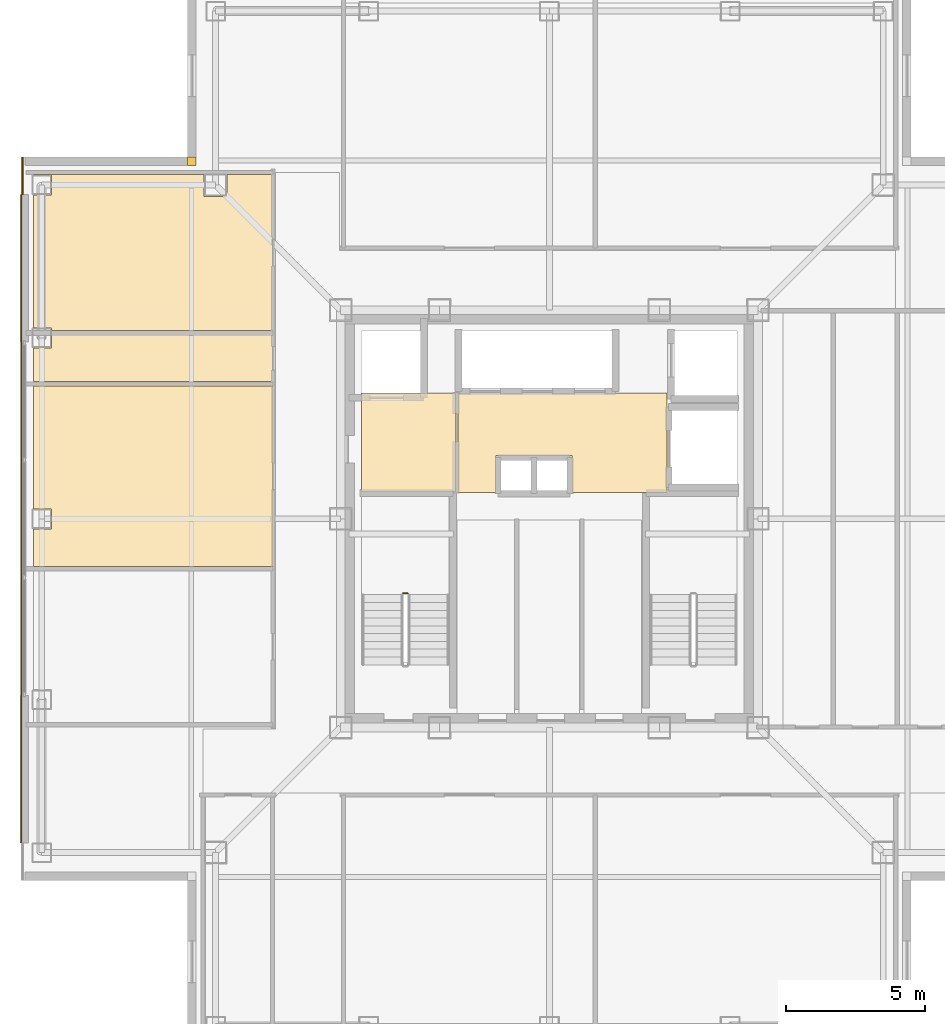
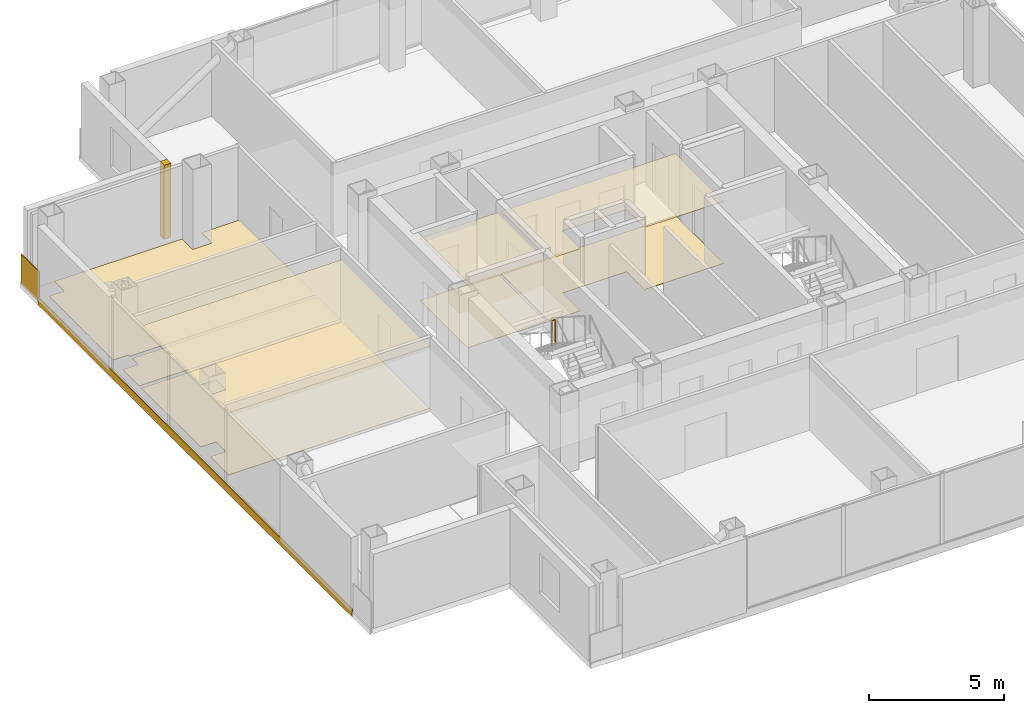
# One storey, part 13 of 16: 11 coverings, 1 railing.
"""IFC4 building model written with IfcOpenShell, lengths in metres."""

from ifc_helpers import new_model, si_unit, direction, frame, frame_2d, origin, origin_2d, place, context, subcontext, project, spatial, polyline, rectangle, circle, outline, extrude, material, layer, layer_set, type_object, element, save


model = new_model("IFC4")

# Units and contexts
model_context = context("Model", 3, precision=1e-05, world=origin(), true_north=direction((0.0, 1.0)))
body_context = subcontext(model_context, "Body", "Model", "MODEL_VIEW")
ifc_project = project(units=[si_unit("LENGTHUNIT", "METRE"), si_unit("AREAUNIT", "SQUARE_METRE"), si_unit("VOLUMEUNIT", "CUBIC_METRE"), si_unit("PLANEANGLEUNIT", "RADIAN"), si_unit("MASSUNIT", "GRAM", prefix="KILO")], contexts=[model_context])

# Site, building, storey
site_placement = place(None, origin())
site = spatial("IfcSite", under=ifc_project, at=site_placement, CompositionType="ELEMENT")
building_placement = place(site_placement, origin())
building = spatial("IfcBuilding", under=site, at=building_placement, Name="Trevonay Congress Spire", CompositionType="ELEMENT")
storey_placement = place(building_placement, frame((0.0, 0.0, 279.199951171875)))
storey = spatial("IfcBuildingStorey", under=building, at=storey_placement, Name="L73", CompositionType="ELEMENT", Elevation=279.199951171875)

# Coverings
ifc_material_1 = material(Name="Acoustic Mineral Fibre Board", Category="gypsum")
ifc_layer_1 = layer(ifc_material_1, 0.02490234375, Name="Acoustic Mineral Fibre Board")
ifc_layer_set_1 = layer_set([ifc_layer_1], Name="Acoustic Mineral Fibre Board")
covering_type_1 = type_object("IfcCoveringType", Name="COV-CEIL-ACOUSTIC", PredefinedType="CEILING", material=ifc_layer_set_1)
covering_1_placement = place(storey_placement, frame((0.0, 0.0, 2.81005859375)))
element("IfcCovering", 1, at=covering_1_placement, inside=storey, type_object=covering_type_1, Name="L73 Firefighting Lift Lobby West acoustic suspended ceiling", PredefinedType="CEILING", context=body_context, shape_type="SweptSolid", body=[
    extrude(outline(polyline([(-6.75, 0.9599609375), (-3.3798828125, 0.9599609375), (-3.3798828125, 4.52001953125), (-6.75, 4.52001953125), (-6.75, 0.9599609375)])), origin(), (0.0, 0.0, 1.0), 0.02490234375),
])
covering_2_placement = place(storey_placement, frame((0.0, 0.0, 2.81005859375)))
element("IfcCovering", 2, at=covering_2_placement, inside=storey, type_object=covering_type_1, Name="L73 Central and High-Rise Passenger Lift Lobby acoustic suspended ceiling", PredefinedType="CEILING", context=body_context, shape_type="SweptSolid", body=[
    extrude(outline(polyline([(-3.280029296875, 0.949951171875), (-1.919921875, 0.949951171875), (-1.919921875, 2.280029296875), (0.820068359375, 2.280029296875), (0.820068359375, 0.949951171875), (4.219970703125, 0.949951171875), (4.219970703125, 4.52001953125), (-3.280029296875, 4.52001953125), (-3.280029296875, 0.949951171875)])), origin(), (0.0, 0.0, 1.0), 0.02490234375),
])
covering_3_placement = place(storey_placement, frame((0.0, 0.0, 2.81005859375)))
element("IfcCovering", 3, at=covering_3_placement, inside=storey, type_object=covering_type_1, Name="L73 Infrastructure Desk Office acoustic suspended ceiling", PredefinedType="CEILING", context=body_context, shape_type="SweptSolid", body=[
    extrude(outline(polyline([(-18.550048828125, 4.77001953125), (-9.929931640625, 4.77001953125), (-9.929931640625, -1.719970703125), (-18.550048828125, -1.719970703125), (-18.550048828125, -0.360107421875), (-17.889892578125, -0.360107421875), (-17.889892578125, 0.360107421875), (-18.550048828125, 0.360107421875), (-18.550048828125, 4.77001953125)])), origin(), (0.0, 0.0, 1.0), 0.02490234375),
])
ifc_material_2 = material(Name="Polished Granite Floor Tile", Category="masonry")
ifc_layer_2 = layer(ifc_material_2, 0.02001953125, Name="Polished Granite Floor Tile")
ifc_layer_set_2 = layer_set([ifc_layer_2], Name="Polished Granite Floor Tile")
covering_type_2 = type_object("IfcCoveringType", Name="COV-FLOOR-STONE", PredefinedType="FLOORING", material=ifc_layer_set_2)
covering_4_placement = place(storey_placement, origin())
element("IfcCovering", 4, at=covering_4_placement, inside=storey, type_object=covering_type_2, Name="L73 Firefighting Lift Lobby West floor finish", PredefinedType="FLOORING", context=body_context, shape_type="SweptSolid", body=[
    extrude(outline(polyline([(-6.75, 0.9599609375), (-3.3798828125, 0.9599609375), (-3.3798828125, 4.52001953125), (-6.75, 4.52001953125), (-6.75, 0.9599609375)])), origin(), (0.0, 0.0, 1.0), 0.02001953125),
])
covering_5_placement = place(storey_placement, origin())
element("IfcCovering", 5, at=covering_5_placement, inside=storey, type_object=covering_type_2, Name="L73 Central and High-Rise Passenger Lift Lobby floor finish", PredefinedType="FLOORING", context=body_context, shape_type="SweptSolid", body=[
    extrude(outline(polyline([(-3.280029296875, 0.949951171875), (-1.919921875, 0.949951171875), (-1.919921875, 2.280029296875), (0.820068359375, 2.280029296875), (0.820068359375, 0.949951171875), (4.219970703125, 0.949951171875), (4.219970703125, 4.52001953125), (-3.280029296875, 4.52001953125), (-3.280029296875, 0.949951171875)])), origin(), (0.0, 0.0, 1.0), 0.02001953125),
])
covering_6_placement = place(storey_placement, origin())
element("IfcCovering", 6, at=covering_6_placement, inside=storey, type_object=covering_type_2, Name="L73 Accessible WC floor finish", PredefinedType="FLOORING", context=body_context, shape_type="SweptSolid", body=[
    extrude(outline(polyline([(-9.929931640625, 6.60009765625), (-9.929931640625, 4.929931640625), (-18.550048828125, 4.929931640625), (-18.550048828125, 6.139892578125), (-17.889892578125, 6.139892578125), (-17.889892578125, 6.60009765625), (-9.929931640625, 6.60009765625)])), origin(), (0.0, 0.0, 1.0), 0.02001953125),
])
covering_7_placement = place(storey_placement, origin())
element("IfcCovering", 7, at=covering_7_placement, inside=storey, type_object=covering_type_2, Name="L73 Floor Supplies and Copy Room floor finish", PredefinedType="FLOORING", context=body_context, shape_type="SweptSolid", body=[
    extrude(outline(polyline([(-9.929931640625, 12.3701171875), (-9.929931640625, 6.760009765625), (-17.889892578125, 6.760009765625), (-17.889892578125, 6.860107421875), (-18.550048828125, 6.860107421875), (-18.550048828125, 11.639892578125), (-17.889892578125, 11.639892578125), (-17.889892578125, 12.360107421875), (-18.550048828125, 12.360107421875), (-18.550048828125, 12.3701171875), (-12.409912109375, 12.3701171875), (-12.409912109375, 11.590087890625), (-11.590087890625, 11.590087890625), (-11.590087890625, 12.3701171875), (-9.929931640625, 12.3701171875)])), origin(), (0.0, 0.0, 1.0), 0.02001953125),
])
ifc_material_3 = material(Name="Engineered Oak Flooring", Category="wood")
ifc_layer_3 = layer(ifc_material_3, 0.01806640625, Name="Engineered Oak Flooring")
ifc_layer_set_3 = layer_set([ifc_layer_3], Name="Engineered Oak Flooring")
covering_type_3 = type_object("IfcCoveringType", Name="COV-FLOOR-TIMBER", PredefinedType="FLOORING", material=ifc_layer_set_3)
covering_8_placement = place(storey_placement, origin())
element("IfcCovering", 8, at=covering_8_placement, inside=storey, type_object=covering_type_3, Name="L73 Infrastructure Desk Office floor finish", PredefinedType="FLOORING", context=body_context, shape_type="SweptSolid", body=[
    extrude(outline(polyline([(-18.550048828125, 4.77001953125), (-9.929931640625, 4.77001953125), (-9.929931640625, -1.719970703125), (-18.550048828125, -1.719970703125), (-18.550048828125, -0.360107421875), (-17.889892578125, -0.360107421875), (-17.889892578125, 0.360107421875), (-18.550048828125, 0.360107421875), (-18.550048828125, 4.77001953125)])), origin(), (0.0, 0.0, 1.0), 0.01806640625),
])
ifc_material_4 = material(Name="Pale Anodised Aluminium EN AW-6063-T6", Category="aluminium")
ifc_layer_4 = layer(ifc_material_4, 0.0400390625, Name="Pale Anodised Aluminium EN AW-6063-T6")
ifc_layer_set_4 = layer_set([ifc_layer_4], Name="Pale Anodised Aluminium EN AW-6063-T6")
covering_type_4 = type_object("IfcCoveringType", Name="COV-SPANDREL-PALE-METAL", PredefinedType="CLADDING", material=ifc_layer_set_4)
covering_9_placement = place(storey_placement, frame((-18.97998046875, -11.64990234375, -0.239990234375), z_axis=(0.0, 0.0, 1.0), x_axis=(0.0, 1.0, 0.0)))
element("IfcCovering", 9, at=covering_9_placement, inside=storey, type_object=covering_type_4, Name="L73 W pale-metal slab-edge spandrel cladding", PredefinedType="CLADDING", context=body_context, shape_type="SweptSolid", body=[
    extrude(rectangle(XDim=23.2998046875, YDim=0.0400390625, at=frame_2d((11.64990234375, 0.0))), origin(), (0.0, 0.0, 1.0), 0.360107421875),
])
covering_10_placement = place(storey_placement, origin())
element("IfcCovering", 10, at=covering_10_placement, inside=storey, type_object=covering_type_4, Name="L73 NW re-entrant notch corner closure trim", PredefinedType="CLADDING", context=body_context, shape_type="SweptSolid", body=[
    extrude(outline(polyline([(-13.0, 12.699951171875), (-12.699951171875, 12.699951171875), (-12.699951171875, 13.0), (-13.0, 13.0), (-13.0, 12.699951171875)])), origin(), (0.0, 0.0, 1.0), 3.360107421875),
])
covering_11_placement = place(storey_placement, frame((-18.93994140625, 11.64990234375, -0.14990234375), z_axis=(0.0, 0.0, 1.0), x_axis=(0.0, 1.0, 0.0)))
element("IfcCovering", 11, at=covering_11_placement, inside=storey, type_object=covering_type_4, Name="L73 NW corner pier spandrel cladding 1", PredefinedType="CLADDING", context=body_context, shape_type="SweptSolid", body=[
    extrude(rectangle(XDim=1.35009765625, YDim=0.0400390625, at=frame_2d((0.675048828125, 0.0))), origin(), (0.0, 0.0, 1.0), 1.39990234375),
])

# Railing
railing_type = type_object("IfcRailingType", Name="RAL-STAIR-GUARD-110", PredefinedType="GUARDRAIL", material=ifc_material_4)
railing_placement = place(storey_placement, frame((-5.10009765625, -2.679931640625, 1.800048828125)))
element("IfcRailing", 12, at=railing_placement, inside=storey, type_object=railing_type, Name="L73 ST-1 stair guard 2", PredefinedType="GUARDRAIL", context=body_context, shape_type="SweptSolid", body=[
    extrude(circle(Radius=0.02392578125, at=origin_2d()), frame((0.0, 0.0, 1.1259765625), z_axis=(-1.0, 0.0, 0.0), x_axis=(0.0, -1.0, 0.0)), (0.0, 0.0, 1.0), 0.14990234375),
    extrude(circle(Radius=0.02099609375, at=origin_2d()), origin(), (0.0, 0.0, 1.0), 1.101806640625),
    extrude(circle(Radius=0.02099609375, at=origin_2d()), frame((-0.14990234375, 0.0, 0.0)), (0.0, 0.0, 1.0), 1.101806640625),
])

save(model, "model.ifc")
